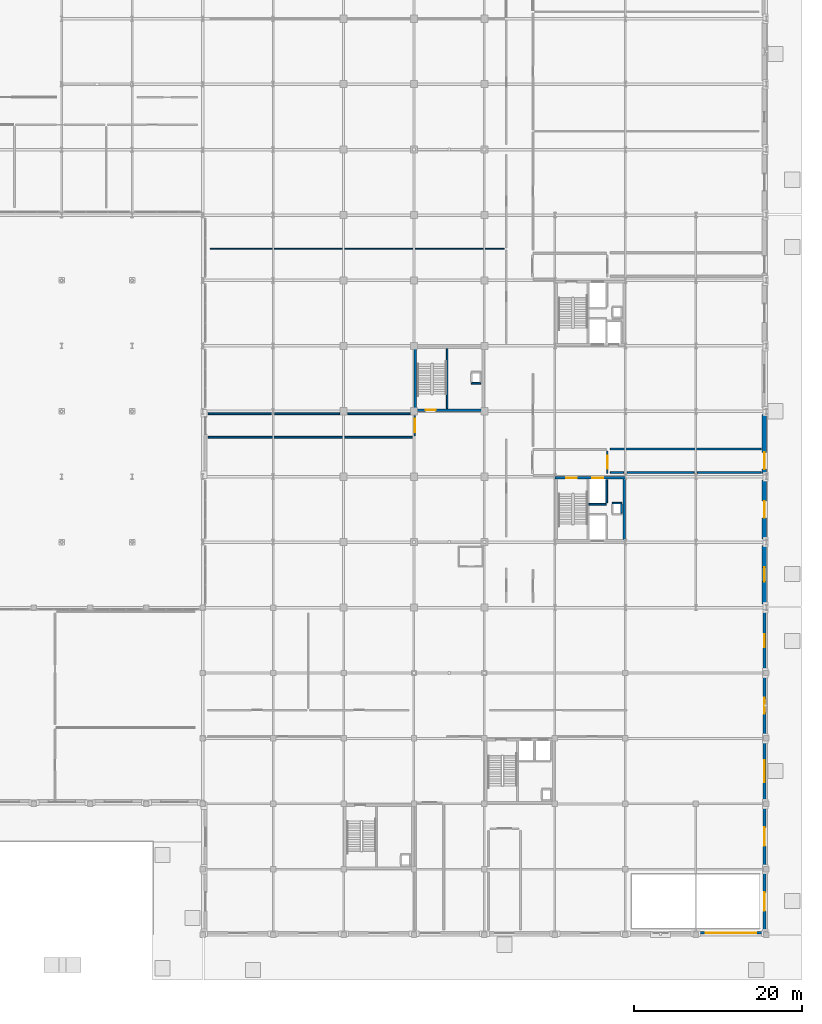
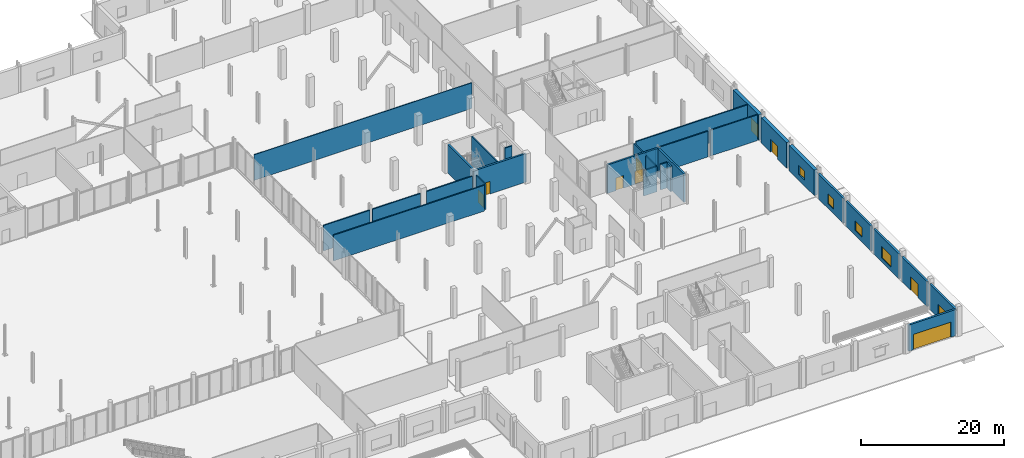
# One storey, part 56 of 80: 30 walls, 10 doors, 4 windows, 14 openings.
"""IFC4 building model written with IfcOpenShell, lengths in metres."""

from ifc_helpers import new_model, si_unit, direction, frame, frame_2d, origin, place, context, subcontext, project, spatial, rectangle, extrude, material, layer, layer_set, type_object, element, fill, save


model = new_model("IFC4")

# Units and contexts
model_context = context("Model", 3, precision=1e-05, world=origin(), true_north=direction((0.0, 1.0)))
body_context = subcontext(model_context, "Body", "Model", "MODEL_VIEW")
ifc_project = project(units=[si_unit("LENGTHUNIT", "METRE"), si_unit("AREAUNIT", "SQUARE_METRE"), si_unit("VOLUMEUNIT", "CUBIC_METRE"), si_unit("PLANEANGLEUNIT", "RADIAN"), si_unit("MASSUNIT", "GRAM", prefix="KILO")], contexts=[model_context])

# Site, building, storey
site_placement = place(None, origin())
site = spatial("IfcSite", under=ifc_project, at=site_placement, CompositionType="ELEMENT")
building_placement = place(site_placement, origin())
building = spatial("IfcBuilding", under=site, at=building_placement, Name="Nabrawat Pavilion Hospital", CompositionType="ELEMENT")
storey_placement = place(building_placement, origin())
storey = spatial("IfcBuildingStorey", under=building, at=storey_placement, Name="L00", CompositionType="ELEMENT", Elevation=0.0)

# Wall, opening, door
ifc_material_1 = material(Name="Precast concrete C40/50", Category="concrete")
ifc_layer_1 = layer(ifc_material_1, 0.320068359375, Name="Precast concrete C40/50")
ifc_layer_set_1 = layer_set([ifc_layer_1], Name="Precast concrete C40/50")
wall_type_1 = type_object("IfcWallType", Name="Deep-Reveal Precast Facade Wall 320", PredefinedType="SOLIDWALL", material=ifc_layer_set_1)
wall_1_placement = place(storey_placement, frame((185.175048828125, 0.219970703125, 0.0), z_axis=(0.0, 0.0, 1.0), x_axis=(1.0, 0.0, 0.0)))
wall_1 = element("IfcWall", 1, at=wall_1_placement, inside=storey, type_object=wall_type_1, Name="L00 Deep-Reveal Precast Facade Wall 320 143", PredefinedType="SOLIDWALL", context=body_context, shape_type="SweptSolid", body=[
    extrude(rectangle(XDim=7.64990234375, YDim=0.320068359375, at=frame_2d((3.824951171875, 0.0))), origin(), (0.0, 0.0, 1.0), 4.4599609375),
])
opening_1_placement = place(wall_1_placement, frame((0.824951171875, 0.0, 0.0)))
opening_1 = element("IfcOpeningElement", 2, at=opening_1_placement, cuts=wall_1, Name="Opening VG-RAMP-600", PredefinedType="OPENING", context=body_context, shape_type="SweptSolid", body=[
    extrude(rectangle(XDim=6.0, YDim=2.60009765625, at=frame_2d((3.0, 1.300048828125))), frame((0.0, 0.169921875, 0.0), z_axis=(0.0, -1.0, 0.0), x_axis=(1.0, 0.0, 0.0)), (0.0, 0.0, 1.0), 0.340087890625),
])
ifc_material_2 = material(Name="Powder-Coated Galvanised Steel and Safety Glass", Category="steel")
door_type_1 = type_object("IfcDoorType", Name="Car Park Ramp Motorized Roller Shutter Gate 6000x2600", OperationType="NOTDEFINED", PredefinedType="GATE", material=ifc_material_2)
door_1_placement = place(opening_1_placement, frame((6.0, 0.0, 0.0), z_axis=(0.0, 0.0, 1.0), x_axis=(-1.0, 0.0, 0.0)))
door_1 = element("IfcDoor", 3, at=door_1_placement, inside=storey, type_object=door_type_1, Name="L00 Underground Car Park Ramp Motorized Shutter Gate VG-01", OperationType="ROLLINGUP", OverallHeight=2.60009765625, OverallWidth=6.0, PredefinedType="GATE", context=body_context, shape_type="SweptSolid", body=[
    extrude(rectangle(XDim=6.0, YDim=2.60009765625, at=frame_2d((3.0, 1.300048828125))), frame((0.0, 0.02490234375, 0.0), z_axis=(0.0, -1.0, 0.0), x_axis=(1.0, 0.0, 0.0)), (0.0, 0.0, 1.0), 0.050048828125),
])
fill(opening_1, door_1)

wall_2_placement = place(storey_placement, frame((192.97998046875, 0.43994140625, 0.0), z_axis=(0.0, 0.0, 1.0), x_axis=(0.0, 1.0, 0.0)))
wall_2 = element("IfcWall", 4, at=wall_2_placement, inside=storey, type_object=wall_type_1, Name="L00 Deep-Reveal Precast Facade Wall 320 154", PredefinedType="SOLIDWALL", context=body_context, shape_type="SweptSolid", body=[
    extrude(rectangle(XDim=6.985107421875, YDim=0.320068359375, at=frame_2d((3.49267578125, 0.0))), origin(), (0.0, 0.0, 1.0), 4.35009765625),
])
opening_2_placement = place(wall_2_placement, frame((2.392578125, 0.0, 0.0)))
opening_2 = element("IfcOpeningElement", 5, at=opening_2_placement, cuts=wall_2, Name="Opening ED-EXIT-220", PredefinedType="OPENING", context=body_context, shape_type="SweptSolid", body=[
    extrude(rectangle(XDim=2.199951171875, YDim=2.300048828125, at=frame_2d((1.10009765625, 1.14990234375))), frame((0.0, 0.169921875, 0.0), z_axis=(0.0, -1.0, 0.0), x_axis=(1.0, 0.0, 0.0)), (0.0, 0.0, 1.0), 0.340087890625),
])
door_type_2 = type_object("IfcDoorType", Name="Perimeter Double Final-Exit Door 2200x2300", OperationType="NOTDEFINED", PredefinedType="DOOR", material=ifc_material_2)
door_2_placement = place(opening_2_placement, frame((2.199951171875, 0.0, 0.0), z_axis=(0.0, 0.0, 1.0), x_axis=(-1.0, 0.0, 0.0)))
door_2 = element("IfcDoor", 6, at=door_2_placement, inside=storey, type_object=door_type_2, Name="L00 Perimeter Final Exit Door 26", OperationType="DOUBLE_DOOR_SINGLE_SWING", OverallHeight=2.300048828125, OverallWidth=2.199951171875, PredefinedType="DOOR", context=body_context, shape_type="SweptSolid", body=[
    extrude(rectangle(XDim=2.199951171875, YDim=2.300048828125, at=frame_2d((1.10009765625, 1.14990234375))), frame((0.0, 0.02490234375, 0.0), z_axis=(0.0, -1.0, 0.0), x_axis=(1.0, 0.0, 0.0)), (0.0, 0.0, 1.0), 0.050048828125),
])
fill(opening_2, door_2)

wall_3_placement = place(storey_placement, frame((192.97998046875, 8.175048828125, 0.0), z_axis=(0.0, 0.0, 1.0), x_axis=(0.0, 1.0, 0.0)))
wall_3 = element("IfcWall", 7, at=wall_3_placement, inside=storey, type_object=wall_type_1, Name="L00 Deep-Reveal Precast Facade Wall 320 155", PredefinedType="SOLIDWALL", context=body_context, shape_type="SweptSolid", body=[
    extrude(rectangle(XDim=7.050048828125, YDim=0.320068359375, at=frame_2d((3.52490234375, 0.0))), origin(), (0.0, 0.0, 1.0), 4.25),
])
opening_3_placement = place(wall_3_placement, frame((2.425048828125, 0.0, 0.0)))
opening_3 = element("IfcOpeningElement", 8, at=opening_3_placement, cuts=wall_3, Name="Opening ED-EXIT-220", PredefinedType="OPENING", context=body_context, shape_type="SweptSolid", body=[
    extrude(rectangle(XDim=2.199951171875, YDim=2.300048828125, at=frame_2d((1.10009765625, 1.14990234375))), frame((0.0, 0.169921875, 0.0), z_axis=(0.0, -1.0, 0.0), x_axis=(1.0, 0.0, 0.0)), (0.0, 0.0, 1.0), 0.340087890625),
])
door_3_placement = place(opening_3_placement, frame((2.199951171875, 0.0, 0.0), z_axis=(0.0, 0.0, 1.0), x_axis=(-1.0, 0.0, 0.0)))
door_3 = element("IfcDoor", 9, at=door_3_placement, inside=storey, type_object=door_type_2, Name="L00 Perimeter Final Exit Door 27", OperationType="DOUBLE_DOOR_SINGLE_SWING", OverallHeight=2.300048828125, OverallWidth=2.199951171875, PredefinedType="DOOR", context=body_context, shape_type="SweptSolid", body=[
    extrude(rectangle(XDim=2.199951171875, YDim=2.300048828125, at=frame_2d((1.10009765625, 1.14990234375))), frame((0.0, 0.02490234375, 0.0), z_axis=(0.0, -1.0, 0.0), x_axis=(1.0, 0.0, 0.0)), (0.0, 0.0, 1.0), 0.050048828125),
])
fill(opening_3, door_3)

# Wall, opening, window
wall_4_placement = place(storey_placement, frame((192.97998046875, 15.97509765625, 0.0), z_axis=(0.0, 0.0, 1.0), x_axis=(0.0, 1.0, 0.0)))
wall_4 = element("IfcWall", 10, at=wall_4_placement, inside=storey, type_object=wall_type_1, Name="L00 Deep-Reveal Precast Facade Wall 320 156", PredefinedType="SOLIDWALL", context=body_context, shape_type="SweptSolid", body=[
    extrude(rectangle(XDim=7.0498046875, YDim=0.320068359375, at=frame_2d((3.52490234375, 0.0))), origin(), (0.0, 0.0, 1.0), 4.25),
])
opening_4_placement = place(wall_4_placement, frame((2.22509765625, 0.0, 0.64990234375)))
opening_4 = element("IfcOpeningElement", 11, at=opening_4_placement, cuts=wall_4, Name="Opening WN-22", PredefinedType="OPENING", context=body_context, shape_type="SweptSolid", body=[
    extrude(rectangle(XDim=2.60009765625, YDim=2.0, at=frame_2d((1.300048828125, 1.0))), frame((0.0, 0.169921875, 0.0), z_axis=(0.0, -1.0, 0.0), x_axis=(1.0, 0.0, 0.0)), (0.0, 0.0, 1.0), 0.340087890625),
])
ifc_material_3 = material(Name="Thermally Broken Aluminium and Solar Glass", Category="aluminium")
window_type_1 = type_object("IfcWindowType", Name="Rehabilitation Gym Tall Window 2600x2000", PartitioningType="SINGLE_PANEL", PredefinedType="WINDOW", material=ifc_material_3)
window_1_placement = place(opening_4_placement, origin())
window_1 = element("IfcWindow", 12, at=window_1_placement, inside=storey, type_object=window_type_1, Name="L00 Rehabilitation Gym Tall Window 2600x2000 054", OverallHeight=2.0, OverallWidth=2.60009765625, PartitioningType="SINGLE_PANEL", PredefinedType="WINDOW", context=body_context, shape_type="SweptSolid", body=[
    extrude(rectangle(XDim=2.60009765625, YDim=2.0, at=frame_2d((1.300048828125, 1.0))), frame((0.0, 0.030029296875, 0.0), z_axis=(0.0, -1.0, 0.0), x_axis=(1.0, 0.0, 0.0)), (0.0, 0.0, 1.0), 0.06005859375),
])
fill(opening_4, window_1)

wall_5_placement = place(storey_placement, frame((192.97998046875, 23.77490234375, 0.0), z_axis=(0.0, 0.0, 1.0), x_axis=(0.0, 1.0, 0.0)))
wall_5 = element("IfcWall", 13, at=wall_5_placement, inside=storey, type_object=wall_type_1, Name="L00 Deep-Reveal Precast Facade Wall 320 157", PredefinedType="SOLIDWALL", context=body_context, shape_type="SweptSolid", body=[
    extrude(rectangle(XDim=7.050048828125, YDim=0.320068359375, at=frame_2d((3.52490234375, 0.0))), origin(), (0.0, 0.0, 1.0), 4.25),
])
opening_5_placement = place(wall_5_placement, frame((2.574951171875, 0.0, 0.85009765625)))
opening_5 = element("IfcOpeningElement", 14, at=opening_5_placement, cuts=wall_5, Name="Opening WN-23", PredefinedType="OPENING", context=body_context, shape_type="SweptSolid", body=[
    extrude(rectangle(XDim=1.89990234375, YDim=1.64990234375, at=frame_2d((0.949951171875, 0.824951171875))), frame((0.0, 0.169921875, 0.0), z_axis=(0.0, -1.0, 0.0), x_axis=(1.0, 0.0, 0.0)), (0.0, 0.0, 1.0), 0.340087890625),
])
window_type_2 = type_object("IfcWindowType", Name="Dialysis Bay Garden Window 1900x1650", PartitioningType="SINGLE_PANEL", PredefinedType="WINDOW", material=ifc_material_3)
window_2_placement = place(opening_5_placement, origin())
window_2 = element("IfcWindow", 15, at=window_2_placement, inside=storey, type_object=window_type_2, Name="L00 Dialysis Bay Garden Window 1900x1650 055", OverallHeight=1.64990234375, OverallWidth=1.89990234375, PartitioningType="SINGLE_PANEL", PredefinedType="WINDOW", context=body_context, shape_type="SweptSolid", body=[
    extrude(rectangle(XDim=1.89990234375, YDim=1.64990234375, at=frame_2d((0.949951171875, 0.824951171875))), frame((0.0, 0.030029296875, 0.0), z_axis=(0.0, -1.0, 0.0), x_axis=(1.0, 0.0, 0.0)), (0.0, 0.0, 1.0), 0.06005859375),
])
fill(opening_5, window_2)

wall_6_placement = place(storey_placement, frame((192.97998046875, 31.574951171875, 0.0), z_axis=(0.0, 0.0, 1.0), x_axis=(0.0, 1.0, 0.0)))
wall_6 = element("IfcWall", 16, at=wall_6_placement, inside=storey, type_object=wall_type_1, Name="L00 Deep-Reveal Precast Facade Wall 320 158", PredefinedType="SOLIDWALL", context=body_context, shape_type="SweptSolid", body=[
    extrude(rectangle(XDim=6.985107421875, YDim=0.320068359375, at=frame_2d((3.49267578125, 0.0))), origin(), (0.0, 0.0, 1.0), 4.25),
])
opening_6_placement = place(wall_6_placement, frame((2.717529296875, 0.0, 0.800048828125)))
opening_6 = element("IfcOpeningElement", 17, at=opening_6_placement, cuts=wall_6, Name="Opening WN-24", PredefinedType="OPENING", context=body_context, shape_type="SweptSolid", body=[
    extrude(rectangle(XDim=1.550048828125, YDim=1.699951171875, at=frame_2d((0.77490234375, 0.85009765625))), frame((0.0, 0.169921875, 0.0), z_axis=(0.0, -1.0, 0.0), x_axis=(1.0, 0.0, 0.0)), (0.0, 0.0, 1.0), 0.340087890625),
])
window_type_3 = type_object("IfcWindowType", Name="Maternity Birthing Suite Window 1550x1700", PartitioningType="SINGLE_PANEL", PredefinedType="WINDOW", material=ifc_material_3)
window_3_placement = place(opening_6_placement, origin())
window_3 = element("IfcWindow", 18, at=window_3_placement, inside=storey, type_object=window_type_3, Name="L00 Maternity Birthing Suite Window 1550x1700 056", OverallHeight=1.699951171875, OverallWidth=1.550048828125, PartitioningType="SINGLE_PANEL", PredefinedType="WINDOW", context=body_context, shape_type="SweptSolid", body=[
    extrude(rectangle(XDim=1.550048828125, YDim=1.699951171875, at=frame_2d((0.77490234375, 0.85009765625))), frame((0.0, 0.030029296875, 0.0), z_axis=(0.0, -1.0, 0.0), x_axis=(1.0, 0.0, 0.0)), (0.0, 0.0, 1.0), 0.06005859375),
])
fill(opening_6, window_3)

# Wall, opening, door
ifc_material_4 = material(Name="Concrete C35/45", Category="concrete")
ifc_layer_2 = layer(ifc_material_4, 0.199951171875, Name="Concrete C35/45")
ifc_layer_set_2 = layer_set([ifc_layer_2], Name="Concrete C35/45")
wall_type_2 = type_object("IfcWallType", Name="Firefighting Lobby Compartment Wall 200", PredefinedType="PARTITIONING", material=ifc_layer_set_2)
wall_7_placement = place(storey_placement, frame((174.25, 55.0, 0.0), z_axis=(0.0, 0.0, 1.0), x_axis=(0.0, 1.0, 0.0)))
wall_7 = element("IfcWall", 19, at=wall_7_placement, inside=storey, type_object=wall_type_2, Name="L00 CORE-5 Firefighting Lobby East Compartment Wall", PredefinedType="PARTITIONING", context=body_context, shape_type="SweptSolid", body=[
    extrude(rectangle(XDim=2.64990234375, YDim=0.199951171875, at=frame_2d((1.324951171875, 0.0))), origin(), (0.0, 0.0, 1.0), 4.330078125),
])
opening_7_placement = place(wall_7_placement, frame((0.52490234375, 0.0, 0.0)))
opening_7 = element("IfcOpeningElement", 20, at=opening_7_placement, cuts=wall_7, Name="Opening D-FFL", PredefinedType="OPENING", context=body_context, shape_type="SweptSolid", body=[
    extrude(rectangle(XDim=1.60009765625, YDim=2.199951171875, at=frame_2d((0.800048828125, 1.10009765625))), frame((0.0, 0.10986328125, 0.0), z_axis=(0.0, -1.0, 0.0), x_axis=(1.0, 0.0, 0.0)), (0.0, 0.0, 1.0), 0.219970703125),
])
ifc_material_5 = material(Name="Stainless-Clad Acoustic Timber and Vision Glass", Category="wood")
door_type_3 = type_object("IfcDoorType", Name="D-FFL Firefighting Lobby Double Smoke Door 1600x2200", OperationType="NOTDEFINED", PredefinedType="DOOR", material=ifc_material_5)
door_4_placement = place(opening_7_placement, origin())
door_4 = element("IfcDoor", 21, at=door_4_placement, inside=storey, type_object=door_type_3, Name="L00 CORE-5 Firefighting Lobby East Smoke Door", OperationType="DOUBLE_DOOR_SINGLE_SWING", OverallHeight=2.199951171875, OverallWidth=1.60009765625, PredefinedType="DOOR", context=body_context, shape_type="SweptSolid", body=[
    extrude(rectangle(XDim=1.60009765625, YDim=2.199951171875, at=frame_2d((0.800048828125, 1.10009765625))), frame((0.0, 0.02490234375, 0.0), z_axis=(0.0, -1.0, 0.0), x_axis=(1.0, 0.0, 0.0)), (0.0, 0.0, 1.0), 0.050048828125),
])
fill(opening_7, door_4)

# Walls
wall_8_placement = place(storey_placement, frame((174.60009765625, 55.10009765625, 0.0), z_axis=(0.0, 0.0, 1.0), x_axis=(1.0, 0.0, 0.0)))
element("IfcWall", 22, at=wall_8_placement, inside=storey, type_object=wall_type_2, Name="L00 ST-05 Protected Exit Passage South Fire Wall 1", PredefinedType="PARTITIONING", context=body_context, shape_type="SweptSolid", body=[
    extrude(rectangle(XDim=1.599853515625, YDim=0.199951171875, at=frame_2d((0.7998046875, 0.0))), origin(), (0.0, 0.0, 1.0), 4.3798828125),
])
wall_9_placement = place(storey_placement, frame((176.60009765625, 55.10009765625, 0.0), z_axis=(0.0, 0.0, 1.0), x_axis=(1.0, 0.0, 0.0)))
element("IfcWall", 23, at=wall_9_placement, inside=storey, type_object=wall_type_2, Name="L00 ST-05 Protected Exit Passage South Fire Wall 2", PredefinedType="PARTITIONING", context=body_context, shape_type="SweptSolid", body=[
    extrude(rectangle(XDim=8.0, YDim=0.199951171875, at=frame_2d((4.0, 0.0))), origin(), (0.0, 0.0, 1.0), 4.3798828125),
])
wall_10_placement = place(storey_placement, frame((185.0, 55.10009765625, 0.0), z_axis=(0.0, 0.0, 1.0), x_axis=(1.0, 0.0, 0.0)))
element("IfcWall", 24, at=wall_10_placement, inside=storey, type_object=wall_type_2, Name="L00 ST-05 Protected Exit Passage South Fire Wall 3", PredefinedType="PARTITIONING", context=body_context, shape_type="SweptSolid", body=[
    extrude(rectangle(XDim=7.60009765625, YDim=0.199951171875, at=frame_2d((3.800048828125, 0.0))), origin(), (0.0, 0.0, 1.0), 4.3798828125),
])
wall_11_placement = place(storey_placement, frame((174.60009765625, 57.89990234375, 0.0), z_axis=(0.0, 0.0, 1.0), x_axis=(1.0, 0.0, 0.0)))
element("IfcWall", 25, at=wall_11_placement, inside=storey, type_object=wall_type_2, Name="L00 ST-05 Protected Exit Passage North Fire Wall 1", PredefinedType="PARTITIONING", context=body_context, shape_type="SweptSolid", body=[
    extrude(rectangle(XDim=18.0, YDim=0.199951171875, at=frame_2d((9.0, 0.0))), origin(), (0.0, 0.0, 1.0), 4.3798828125),
])
wall_12_placement = place(storey_placement, frame((126.699951171875, 59.300048828125, 0.0), z_axis=(0.0, 0.0, 1.0), x_axis=(1.0, 0.0, 0.0)))
element("IfcWall", 26, at=wall_12_placement, inside=storey, type_object=wall_type_2, Name="L00 ST-09 Protected Exit Passage South Fire Wall 1", PredefinedType="PARTITIONING", context=body_context, shape_type="SweptSolid", body=[
    extrude(rectangle(XDim=24.300048828125, YDim=0.199951171875, at=frame_2d((12.14990234375, 0.0))), origin(), (0.0, 0.0, 1.0), 4.3798828125),
])
wall_13_placement = place(storey_placement, frame((126.699951171875, 62.10009765625, 0.0), z_axis=(0.0, 0.0, 1.0), x_axis=(1.0, 0.0, 0.0)))
element("IfcWall", 27, at=wall_13_placement, inside=storey, type_object=wall_type_2, Name="L00 ST-09 Protected Exit Passage North Fire Wall 1", PredefinedType="PARTITIONING", context=body_context, shape_type="SweptSolid", body=[
    extrude(rectangle(XDim=7.5, YDim=0.199951171875, at=frame_2d((3.75, 0.0))), origin(), (0.0, 0.0, 1.0), 4.330078125),
])
wall_14_placement = place(storey_placement, frame((134.60009765625, 62.10009765625, 0.0), z_axis=(0.0, 0.0, 1.0), x_axis=(1.0, 0.0, 0.0)))
element("IfcWall", 28, at=wall_14_placement, inside=storey, type_object=wall_type_2, Name="L00 ST-09 Protected Exit Passage North Fire Wall 2", PredefinedType="PARTITIONING", context=body_context, shape_type="SweptSolid", body=[
    extrude(rectangle(XDim=7.724853515625, YDim=0.199951171875, at=frame_2d((3.8623046875, 0.0))), origin(), (0.0, 0.0, 1.0), 4.330078125),
])
wall_15_placement = place(storey_placement, frame((143.27490234375, 62.10009765625, 0.0), z_axis=(0.0, 0.0, 1.0), x_axis=(1.0, 0.0, 0.0)))
element("IfcWall", 29, at=wall_15_placement, inside=storey, type_object=wall_type_2, Name="L00 ST-09 Protected Exit Passage North Fire Wall 3", PredefinedType="PARTITIONING", context=body_context, shape_type="SweptSolid", body=[
    extrude(rectangle(XDim=7.4501953125, YDim=0.199951171875, at=frame_2d((3.72509765625, 0.0))), origin(), (0.0, 0.0, 1.0), 4.330078125),
])

# Wall, opening, door
wall_16_placement = place(storey_placement, frame((151.300048828125, 59.47998046875, 0.0), z_axis=(0.0, 0.0, 1.0), x_axis=(0.0, 1.0, 0.0)))
wall_16 = element("IfcWall", 30, at=wall_16_placement, inside=storey, type_object=wall_type_2, Name="L00 ST-09 Protected Exit Passage East Fire Wall 1", PredefinedType="PARTITIONING", context=body_context, shape_type="SweptSolid", body=[
    extrude(rectangle(XDim=2.43994140625, YDim=0.199951171875, at=frame_2d((1.219970703125, 0.0))), origin(), (0.0, 0.0, 1.0), 4.3798828125),
])
opening_8_placement = place(wall_16_placement, frame((0.419921875, 0.0, 0.0)))
opening_8 = element("IfcOpeningElement", 31, at=opening_8_placement, cuts=wall_16, Name="Opening D-FFL", PredefinedType="OPENING", context=body_context, shape_type="SweptSolid", body=[
    extrude(rectangle(XDim=1.60009765625, YDim=2.199951171875, at=frame_2d((0.800048828125, 1.10009765625))), frame((0.0, 0.10986328125, 0.0), z_axis=(0.0, -1.0, 0.0), x_axis=(1.0, 0.0, 0.0)), (0.0, 0.0, 1.0), 0.219970703125),
])
door_5_placement = place(opening_8_placement, origin())
door_5 = element("IfcDoor", 32, at=door_5_placement, inside=storey, type_object=door_type_3, Name="L00 ST-09 Protected Exit Passage Entry Fire Door", OperationType="DOUBLE_DOOR_SINGLE_SWING", OverallHeight=2.199951171875, OverallWidth=1.60009765625, PredefinedType="DOOR", context=body_context, shape_type="SweptSolid", body=[
    extrude(rectangle(XDim=1.60009765625, YDim=2.199951171875, at=frame_2d((0.800048828125, 1.10009765625))), frame((0.0, 0.02490234375, 0.0), z_axis=(0.0, -1.0, 0.0), x_axis=(1.0, 0.0, 0.0)), (0.0, 0.0, 1.0), 0.050048828125),
])
fill(opening_8, door_5)

# Walls
ifc_layer_3 = layer(ifc_material_4, 0.199951171875, Name="Concrete C35/45")
ifc_layer_set_3 = layer_set([ifc_layer_3], Name="Concrete C35/45")
wall_type_3 = type_object("IfcWallType", Name="Lift and Riser Fire Shaft Wall 200", PredefinedType="PARTITIONING", material=ifc_layer_set_3)
wall_17_placement = place(storey_placement, frame((174.85009765625, 51.449951171875, 0.0), z_axis=(0.0, 0.0, 1.0), x_axis=(1.0, 0.0, 0.0)))
element("IfcWall", 33, at=wall_17_placement, inside=storey, type_object=wall_type_3, Name="L00 CORE-5 MEP Riser Shaft Wall N", PredefinedType="PARTITIONING", context=body_context, shape_type="SweptSolid", body=[
    extrude(rectangle(XDim=1.099853515625, YDim=0.199951171875, at=frame_2d((0.5498046875, 0.0))), origin(), (0.0, 0.0, 1.0), 4.330078125),
])
wall_18_placement = place(storey_placement, frame((175.949951171875, 50.27001953125, 0.0), z_axis=(0.0, 0.0, 1.0), x_axis=(0.0, 1.0, 0.0)))
element("IfcWall", 34, at=wall_18_placement, inside=storey, type_object=wall_type_3, Name="L00 CORE-5 MEP Riser Shaft Wall E", PredefinedType="PARTITIONING", context=body_context, shape_type="SweptSolid", body=[
    extrude(rectangle(XDim=1.06005859375, YDim=0.199951171875, at=frame_2d((0.530029296875, 0.0))), origin(), (0.0, 0.0, 1.0), 4.330078125),
])
wall_19_placement = place(storey_placement, frame((174.179931640625, 51.47998046875, 0.0), z_axis=(0.0, 0.0, 1.0), x_axis=(0.0, 1.0, 0.0)))
element("IfcWall", 35, at=wall_19_placement, inside=storey, type_object=wall_type_3, Name="L00 Lift LF-01 Shaft East Wall", PredefinedType="PARTITIONING", context=body_context, shape_type="SweptSolid", body=[
    extrude(rectangle(XDim=2.739990234375, YDim=0.199951171875, at=frame_2d((1.3701171875, 0.0))), origin(), (0.0, 0.0, 1.0), 4.330078125),
])
wall_20_placement = place(storey_placement, frame((172.050048828125, 51.320068359375, 0.0), z_axis=(0.0, 0.0, 1.0), x_axis=(1.0, 0.0, 0.0)))
element("IfcWall", 36, at=wall_20_placement, inside=storey, type_object=wall_type_3, Name="L00 Lift LF-01 Shaft Back Wall", PredefinedType="PARTITIONING", context=body_context, shape_type="SweptSolid", body=[
    extrude(rectangle(XDim=2.099853515625, YDim=0.199951171875, at=frame_2d((1.0498046875, 0.0))), origin(), (0.0, 0.0, 1.0), 4.330078125),
])
wall_21_placement = place(storey_placement, frame((155.14990234375, 62.719970703125, 0.0), z_axis=(0.0, 0.0, 1.0), x_axis=(0.0, 1.0, 0.0)))
element("IfcWall", 37, at=wall_21_placement, inside=storey, type_object=wall_type_3, Name="L00 CORE-9 Stair-Lift Dividing Shear Wall", PredefinedType="SHEAR", context=body_context, shape_type="SweptSolid", body=[
    extrude(rectangle(XDim=7.159912109375, YDim=0.199951171875, at=frame_2d((3.580078125, 0.0))), origin(), (0.0, 0.0, 1.0), 4.85009765625),
])
wall_22_placement = place(storey_placement, frame((158.050048828125, 65.75, 0.0), z_axis=(0.0, 0.0, 1.0), x_axis=(1.0, 0.0, 0.0)))
element("IfcWall", 38, at=wall_22_placement, inside=storey, type_object=wall_type_3, Name="L00 CORE-9 MEP Riser Shaft Wall S", PredefinedType="PARTITIONING", context=body_context, shape_type="SweptSolid", body=[
    extrude(rectangle(XDim=1.099853515625, YDim=0.199951171875, at=frame_2d((0.5498046875, 0.0))), origin(), (0.0, 0.0, 1.0), 4.330078125),
])
ifc_material_6 = material(Name="Gypsum Plasterboard on Stud", Category="gypsum")
ifc_layer_4 = layer(ifc_material_6, 0.1201171875, Name="Gypsum Plasterboard on Stud")
ifc_layer_set_4 = layer_set([ifc_layer_4], Name="Gypsum Plasterboard on Stud")
wall_type_4 = type_object("IfcWallType", Name="Outpatient Consultation Partition 120", PredefinedType="PARTITIONING", material=ifc_layer_set_4)
wall_23_placement = place(storey_placement, frame((126.889892578125, 81.75, 0.0), z_axis=(0.0, 0.0, 1.0), x_axis=(1.0, 0.0, 0.0)))
element("IfcWall", 39, at=wall_23_placement, inside=storey, type_object=wall_type_4, Name="L00 Hydrotherapy Treatment Pool Suite L00-03 Dividing Partition", PredefinedType="PARTITIONING", context=body_context, shape_type="SweptSolid", body=[
    extrude(rectangle(XDim=35.10009765625, YDim=0.1201171875, at=frame_2d((17.550048828125, 0.0))), origin(), (0.0, 0.0, 1.0), 4.3798828125),
])

# Wall, opening, window
ifc_layer_5 = layer(ifc_material_1, 0.5400390625, Name="Precast concrete C40/50")
ifc_layer_set_5 = layer_set([ifc_layer_5], Name="Precast concrete C40/50")
wall_type_5 = type_object("IfcWallType", Name="Podium Monumental Limestone-Clad Wall 540", PredefinedType="SOLIDWALL", material=ifc_layer_set_5)
wall_24_placement = place(storey_placement, frame((192.97998046875, 39.43994140625, 0.0), z_axis=(0.0, 0.0, 1.0), x_axis=(0.0, 1.0, 0.0)))
wall_24 = element("IfcWall", 40, at=wall_24_placement, inside=storey, type_object=wall_type_5, Name="L00 Podium Monumental Limestone-Clad Wall 540 159", PredefinedType="SOLIDWALL", context=body_context, shape_type="SweptSolid", body=[
    extrude(rectangle(XDim=6.985107421875, YDim=0.5400390625, at=frame_2d((3.49267578125, 0.0))), origin(), (0.0, 0.0, 1.0), 4.330078125),
])
opening_9_placement = place(wall_24_placement, frame((2.642578125, 0.0, 0.949951171875)))
opening_9 = element("IfcOpeningElement", 41, at=opening_9_placement, cuts=wall_24, Name="Opening WN-25", PredefinedType="OPENING", context=body_context, shape_type="SweptSolid", body=[
    extrude(rectangle(XDim=1.699951171875, YDim=1.550048828125, at=frame_2d((0.85009765625, 0.77490234375))), frame((0.0, 0.280029296875, 0.0), z_axis=(0.0, -1.0, 0.0), x_axis=(1.0, 0.0, 0.0)), (0.0, 0.0, 1.0), 0.56005859375),
])
window_type_4 = type_object("IfcWindowType", Name="Cardiology Telemetry Window 1700x1550", PartitioningType="SINGLE_PANEL", PredefinedType="WINDOW", material=ifc_material_3)
window_4_placement = place(opening_9_placement, origin())
window_4 = element("IfcWindow", 42, at=window_4_placement, inside=storey, type_object=window_type_4, Name="L00 Cardiology Telemetry Window 1700x1550 057", OverallHeight=1.550048828125, OverallWidth=1.699951171875, PartitioningType="SINGLE_PANEL", PredefinedType="WINDOW", context=body_context, shape_type="SweptSolid", body=[
    extrude(rectangle(XDim=1.699951171875, YDim=1.550048828125, at=frame_2d((0.85009765625, 0.77490234375))), frame((0.0, 0.030029296875, 0.0), z_axis=(0.0, -1.0, 0.0), x_axis=(1.0, 0.0, 0.0)), (0.0, 0.0, 1.0), 0.06005859375),
])
fill(opening_9, window_4)

# Wall, opening, door
wall_25_placement = place(storey_placement, frame((192.97998046875, 47.175048828125, 0.0), z_axis=(0.0, 0.0, 1.0), x_axis=(0.0, 1.0, 0.0)))
wall_25 = element("IfcWall", 43, at=wall_25_placement, inside=storey, type_object=wall_type_5, Name="L00 Podium Monumental Limestone-Clad Wall 540 160", PredefinedType="SOLIDWALL", context=body_context, shape_type="SweptSolid", body=[
    extrude(rectangle(XDim=7.050048828125, YDim=0.5400390625, at=frame_2d((3.52490234375, 0.0))), origin(), (0.0, 0.0, 1.0), 4.330078125),
])
opening_10_placement = place(wall_25_placement, frame((2.52490234375, 0.0, 0.0)))
opening_10 = element("IfcOpeningElement", 44, at=opening_10_placement, cuts=wall_25, Name="Opening ED-EXIT-200", PredefinedType="OPENING", context=body_context, shape_type="SweptSolid", body=[
    extrude(rectangle(XDim=2.0, YDim=2.25, at=frame_2d((1.0, 1.125))), frame((0.0, 0.280029296875, 0.0), z_axis=(0.0, -1.0, 0.0), x_axis=(1.0, 0.0, 0.0)), (0.0, 0.0, 1.0), 0.56005859375),
])
door_type_4 = type_object("IfcDoorType", Name="Secondary Final-Exit Double Door 2000x2250", OperationType="NOTDEFINED", PredefinedType="DOOR", material=ifc_material_2)
door_6_placement = place(opening_10_placement, frame((2.0, 0.0, 0.0), z_axis=(0.0, 0.0, 1.0), x_axis=(-1.0, 0.0, 0.0)))
door_6 = element("IfcDoor", 45, at=door_6_placement, inside=storey, type_object=door_type_4, Name="L00 Perimeter Final Exit Door 28", OperationType="DOUBLE_DOOR_SINGLE_SWING", OverallHeight=2.25, OverallWidth=2.0, PredefinedType="DOOR", context=body_context, shape_type="SweptSolid", body=[
    extrude(rectangle(XDim=2.0, YDim=2.25, at=frame_2d((1.0, 1.125))), frame((0.0, 0.02490234375, 0.0), z_axis=(0.0, -1.0, 0.0), x_axis=(1.0, 0.0, 0.0)), (0.0, 0.0, 1.0), 0.050048828125),
])
fill(opening_10, door_6)

wall_26_placement = place(storey_placement, frame((192.97998046875, 54.97509765625, 0.0), z_axis=(0.0, 0.0, 1.0), x_axis=(0.0, 1.0, 0.0)))
wall_26 = element("IfcWall", 46, at=wall_26_placement, inside=storey, type_object=wall_type_5, Name="L00 Podium Monumental Limestone-Clad Wall 540 161", PredefinedType="SOLIDWALL", context=body_context, shape_type="SweptSolid", body=[
    extrude(rectangle(XDim=7.0498046875, YDim=0.5400390625, at=frame_2d((3.52490234375, 0.0))), origin(), (0.0, 0.0, 1.0), 4.330078125),
])
opening_11_placement = place(wall_26_placement, frame((0.52490234375, 0.0, 0.0)))
opening_11 = element("IfcOpeningElement", 47, at=opening_11_placement, cuts=wall_26, Name="Opening ED-EXIT-200", PredefinedType="OPENING", context=body_context, shape_type="SweptSolid", body=[
    extrude(rectangle(XDim=2.0, YDim=2.25, at=frame_2d((1.0, 1.125))), frame((0.0, 0.280029296875, 0.0), z_axis=(0.0, -1.0, 0.0), x_axis=(1.0, 0.0, 0.0)), (0.0, 0.0, 1.0), 0.56005859375),
])
door_7_placement = place(opening_11_placement, frame((2.0, 0.0, 0.0), z_axis=(0.0, 0.0, 1.0), x_axis=(-1.0, 0.0, 0.0)))
door_7 = element("IfcDoor", 48, at=door_7_placement, inside=storey, type_object=door_type_4, Name="L00 ST-05 Protected Exit Discharge Final Exit Door", OperationType="DOUBLE_DOOR_SINGLE_SWING", OverallHeight=2.25, OverallWidth=2.0, PredefinedType="DOOR", context=body_context, shape_type="SweptSolid", body=[
    extrude(rectangle(XDim=2.0, YDim=2.25, at=frame_2d((1.0, 1.125))), frame((0.0, 0.02490234375, 0.0), z_axis=(0.0, -1.0, 0.0), x_axis=(1.0, 0.0, 0.0)), (0.0, 0.0, 1.0), 0.050048828125),
])
fill(opening_11, door_7)

# Wall, openings, doors
ifc_material_7 = material(Name="Concrete C40/50", Category="concrete")
ifc_layer_6 = layer(ifc_material_7, 0.300048828125, Name="Concrete C40/50")
ifc_layer_set_6 = layer_set([ifc_layer_6], Name="Concrete C40/50")
wall_type_6 = type_object("IfcWallType", Name="Reinforced Concrete Core Shear Wall 300", PredefinedType="SHEAR", material=ifc_layer_set_6)
wall_27_placement = place(storey_placement, frame((168.0, 54.449951171875, 0.0), z_axis=(0.0, 0.0, 1.0), x_axis=(1.0, 0.0, 0.0)))
wall_27 = element("IfcWall", 49, at=wall_27_placement, inside=storey, type_object=wall_type_6, Name="L00 CORE-5 North Core Shear Wall", PredefinedType="SHEAR", context=body_context, shape_type="SweptSolid", body=[
    extrude(rectangle(XDim=8.39990234375, YDim=0.300048828125, at=frame_2d((4.199951171875, 0.0))), origin(), (0.0, 0.0, 1.0), 4.85009765625),
])
opening_12_placement = place(wall_27_placement, frame((1.3798828125, 0.0, 0.0)))
opening_12 = element("IfcOpeningElement", 50, at=opening_12_placement, cuts=wall_27, Name="Opening D-STAIR", PredefinedType="OPENING", context=body_context, shape_type="SweptSolid", body=[
    extrude(rectangle(XDim=1.199951171875, YDim=2.14990234375, at=frame_2d((0.60009765625, 1.074951171875))), frame((0.0, 0.16015625, 0.0), z_axis=(0.0, -1.0, 0.0), x_axis=(1.0, 0.0, 0.0)), (0.0, 0.0, 1.0), 0.320068359375),
])
opening_13_placement = place(wall_27_placement, frame((4.449951171875, 0.0, 0.0)))
opening_13 = element("IfcOpeningElement", 51, at=opening_13_placement, cuts=wall_27, Name="Opening LD-LF-01", PredefinedType="OPENING", context=body_context, shape_type="SweptSolid", body=[
    extrude(rectangle(XDim=1.300048828125, YDim=2.199951171875, at=frame_2d((0.64990234375, 1.10009765625))), frame((0.0, 0.16015625, 0.0), z_axis=(0.0, -1.0, 0.0), x_axis=(1.0, 0.0, 0.0)), (0.0, 0.0, 1.0), 0.320068359375),
])
door_type_5 = type_object("IfcDoorType", Name="D-STAIR Exit Stair Fire Door 1200x2150", OperationType="NOTDEFINED", PredefinedType="DOOR", material=ifc_material_5)
door_8_placement = place(opening_12_placement, origin())
door_8 = element("IfcDoor", 52, at=door_8_placement, inside=storey, type_object=door_type_5, Name="L00 ST-05 Fire Exit Stair Door", OperationType="SINGLE_SWING_RIGHT", OverallHeight=2.14990234375, OverallWidth=1.199951171875, PredefinedType="DOOR", context=body_context, shape_type="SweptSolid", body=[
    extrude(rectangle(XDim=1.199951171875, YDim=2.14990234375, at=frame_2d((0.60009765625, 1.074951171875))), frame((0.0, 0.02490234375, 0.0), z_axis=(0.0, -1.0, 0.0), x_axis=(1.0, 0.0, 0.0)), (0.0, 0.0, 1.0), 0.050048828125),
])
fill(opening_12, door_8)
door_type_6 = type_object("IfcDoorType", Name="Firefighting Lift Sliding Landing Door 1300x2200", OperationType="DOUBLE_DOOR_SLIDING", PredefinedType="DOOR", material=ifc_material_5)
door_9_placement = place(opening_13_placement, origin())
door_9 = element("IfcDoor", 53, at=door_9_placement, inside=storey, type_object=door_type_6, Name="L00 Lift LF-01 Sliding Landing Door", OperationType="DOUBLE_DOOR_SLIDING", OverallHeight=2.199951171875, OverallWidth=1.300048828125, PredefinedType="DOOR", context=body_context, shape_type="SweptSolid", body=[
    extrude(rectangle(XDim=1.300048828125, YDim=2.199951171875, at=frame_2d((0.64990234375, 1.10009765625))), frame((0.0, 0.02490234375, 0.0), z_axis=(0.0, -1.0, 0.0), x_axis=(1.0, 0.0, 0.0)), (0.0, 0.0, 1.0), 0.050048828125),
])
fill(opening_13, door_9)

# Wall
wall_28_placement = place(storey_placement, frame((176.25, 47.10009765625, 0.0), z_axis=(0.0, 0.0, 1.0), x_axis=(0.0, 1.0, 0.0)))
element("IfcWall", 54, at=wall_28_placement, inside=storey, type_object=wall_type_6, Name="L00 CORE-5 East Core Shear Wall", PredefinedType="SHEAR", context=body_context, shape_type="SweptSolid", body=[
    extrude(rectangle(XDim=7.199951171875, YDim=0.300048828125, at=frame_2d((3.60009765625, 0.0))), origin(), (0.0, 0.0, 1.0), 4.85009765625),
])

# Wall, opening, door
wall_29_placement = place(storey_placement, frame((151.199951171875, 62.550048828125, 0.0), z_axis=(0.0, 0.0, 1.0), x_axis=(1.0, 0.0, 0.0)))
wall_29 = element("IfcWall", 55, at=wall_29_placement, inside=storey, type_object=wall_type_6, Name="L00 CORE-9 South Core Shear Wall", PredefinedType="SHEAR", context=body_context, shape_type="SweptSolid", body=[
    extrude(rectangle(XDim=8.400146484375, YDim=0.300048828125, at=frame_2d((4.2001953125, 0.0))), origin(), (0.0, 0.0, 1.0), 4.85009765625),
])
opening_14_placement = place(wall_29_placement, frame((1.3798828125, 0.0, 0.0)))
opening_14 = element("IfcOpeningElement", 56, at=opening_14_placement, cuts=wall_29, Name="Opening D-STAIR", PredefinedType="OPENING", context=body_context, shape_type="SweptSolid", body=[
    extrude(rectangle(XDim=1.199951171875, YDim=2.14990234375, at=frame_2d((0.60009765625, 1.074951171875))), frame((0.0, 0.16015625, 0.0), z_axis=(0.0, -1.0, 0.0), x_axis=(1.0, 0.0, 0.0)), (0.0, 0.0, 1.0), 0.320068359375),
])
door_10_placement = place(opening_14_placement, origin())
door_10 = element("IfcDoor", 57, at=door_10_placement, inside=storey, type_object=door_type_5, Name="L00 ST-09 Fire Exit Stair Door", OperationType="SINGLE_SWING_LEFT", OverallHeight=2.14990234375, OverallWidth=1.199951171875, PredefinedType="DOOR", context=body_context, shape_type="SweptSolid", body=[
    extrude(rectangle(XDim=1.199951171875, YDim=2.14990234375, at=frame_2d((0.60009765625, 1.074951171875))), frame((0.0, 0.02490234375, 0.0), z_axis=(0.0, -1.0, 0.0), x_axis=(1.0, 0.0, 0.0)), (0.0, 0.0, 1.0), 0.050048828125),
])
fill(opening_14, door_10)

# Wall
wall_30_placement = place(storey_placement, frame((151.35009765625, 62.699951171875, 0.0), z_axis=(0.0, 0.0, 1.0), x_axis=(0.0, 1.0, 0.0)))
element("IfcWall", 58, at=wall_30_placement, inside=storey, type_object=wall_type_6, Name="L00 CORE-9 West Core Shear Wall", PredefinedType="SHEAR", context=body_context, shape_type="SweptSolid", body=[
    extrude(rectangle(XDim=7.199951171875, YDim=0.300048828125, at=frame_2d((3.60009765625, 0.0))), origin(), (0.0, 0.0, 1.0), 4.85009765625),
])

save(model, "model.ifc")
